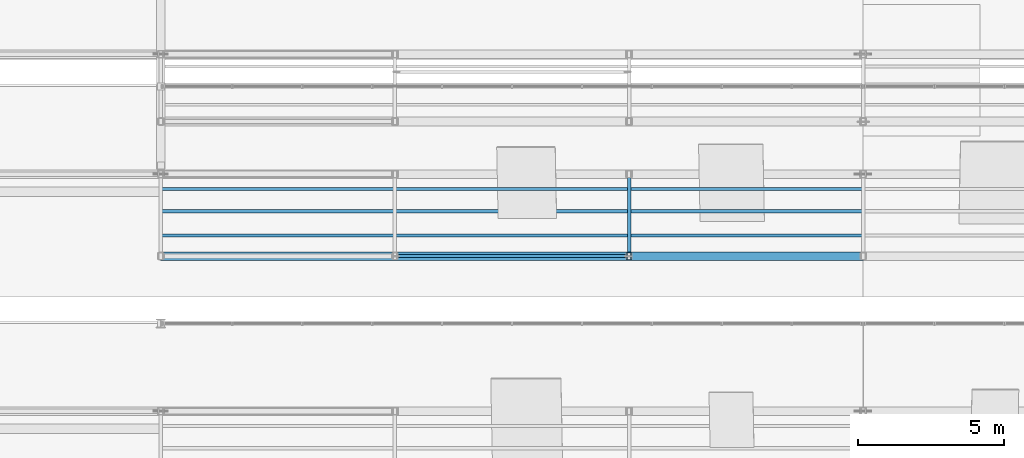
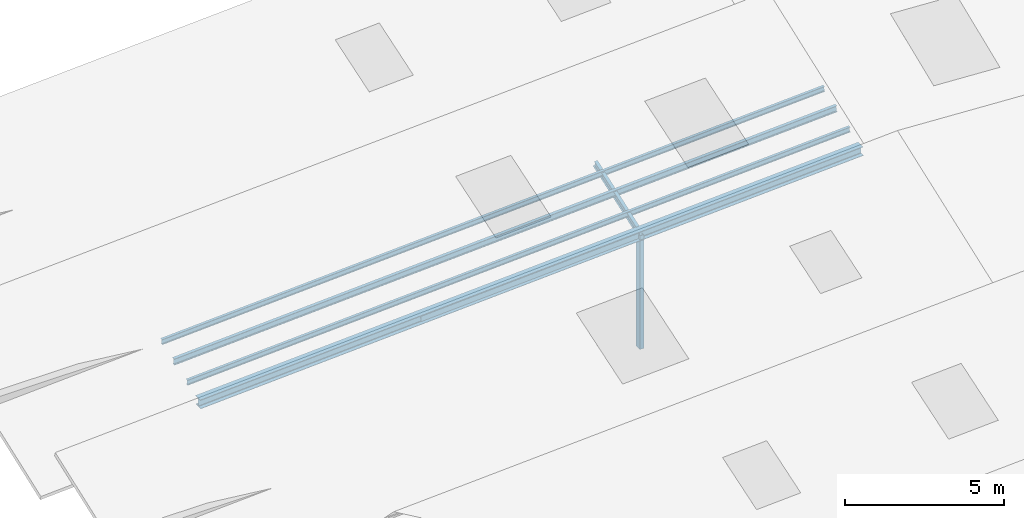
# One storey, part 87 of 141: 7 members.
"""IFC4 building model written with IfcOpenShell, lengths in metres."""

import ifcopenshell
import ifcopenshell.guid

model = None  # the IFC model being written
_history = None  # IfcOwnerHistory: only IFC2X3 demands one
_inside = {}  # id of a spatial element -> (the spatial element, [elements in it])
_under = {}  # id of a project, library or spatial element -> (it, [spatial elements below it])
_declared = {}  # id of a project -> (the project, [libraries it declares])
_typed = {}  # id of a type object -> (the type object, [elements of that type])
_made_of = {}  # id of a material, layer set ... -> (it, [elements and type objects made of it])


def new_model(schema):
    """Start an empty IFC model of exactly this schema.

    Asked for "IFC4X3", IfcOpenShell would pick the latest addendum, in which some entities
    have other attributes; the version numbers below select the first issue.
    IFC2X3 requires an IfcOwnerHistory on every rooted entity: one is made here for all.
    """
    global model, _history
    if schema == "IFC4X3":
        model = ifcopenshell.file(schema_version=(4, 3, 0, 0))
    else:
        model = ifcopenshell.file(schema=schema)
    _inside.clear()
    _under.clear()
    _declared.clear()
    _typed.clear()
    _made_of.clear()
    _history = None
    if model.schema == "IFC2X3":
        org = make("IfcOrganization", Name="unknown")
        user = make(
            "IfcPersonAndOrganization",
            ThePerson=make("IfcPerson", FamilyName="unknown"),
            TheOrganization=org,
        )
        app = make(
            "IfcApplication",
            ApplicationDeveloper=org,
            Version="unknown",
            ApplicationFullName="unknown",
            ApplicationIdentifier="unknown",
        )
        _history = make(
            "IfcOwnerHistory",
            OwningUser=user,
            OwningApplication=app,
            ChangeAction="ADDED",
            CreationDate=0,
        )
    return model


def make(cls, **values):
    """One entity of the class cls with the attributes given. An attribute that is None is left unset."""
    return model.create_entity(
        cls, **{name: value for name, value in values.items() if value is not None}
    )


def rooted(cls, **values):
    """An entity with a GlobalId (a new one), such as an element, a storey or a relation."""
    return make(cls, GlobalId=ifcopenshell.guid.new(), OwnerHistory=_history, **values)


def si_unit(unit_type, name, prefix=None):
    """IfcSIUnit, for example si_unit("LENGTHUNIT", "METRE", prefix="MILLI")."""
    return make("IfcSIUnit", UnitType=unit_type, Prefix=prefix, Name=name)


def assignment(units):
    """IfcUnitAssignment: the units of a project."""
    return None if units is None else make("IfcUnitAssignment", Units=units)


def point(xyz):
    """IfcCartesianPoint."""
    return None if xyz is None else make("IfcCartesianPoint", Coordinates=xyz)


def direction(xyz):
    """IfcDirection."""
    return None if xyz is None else make("IfcDirection", DirectionRatios=xyz)


def frame(location, z_axis=None, x_axis=None):
    """IfcAxis2Placement3D, a coordinate frame: its origin and axes. An axis left out is left unset."""
    return make(
        "IfcAxis2Placement3D",
        Location=point(location),
        Axis=direction(z_axis),
        RefDirection=direction(x_axis),
    )


def frame_2d(location, x_axis=None):
    """IfcAxis2Placement2D, a coordinate frame in the plane: its origin and x axis."""
    return make(
        "IfcAxis2Placement2D", Location=point(location), RefDirection=direction(x_axis)
    )


def origin():
    """The frame at (0, 0, 0) with its axes left unset."""
    return frame((0.0, 0.0, 0.0))


def origin_2d():
    """The frame at (0, 0) in the plane with its x axis left unset."""
    return frame_2d((0.0, 0.0))


def place(relative_to, where):
    """IfcLocalPlacement: puts the frame where relative to a parent placement (None: the world)."""
    return make(
        "IfcLocalPlacement", PlacementRelTo=relative_to, RelativePlacement=where
    )


def context(
    kind, dimensions, precision=None, world=None, true_north=None, identifier=None
):
    """IfcGeometricRepresentationContext, for example the 3D "Model" context."""
    return make(
        "IfcGeometricRepresentationContext",
        ContextIdentifier=identifier,
        ContextType=kind,
        CoordinateSpaceDimension=dimensions,
        Precision=precision,
        WorldCoordinateSystem=world,
        TrueNorth=true_north,
    )


def subcontext(parent, identifier, kind, view, scale=None):
    """IfcGeometricRepresentationSubContext, for example "Body" below "Model"."""
    return make(
        "IfcGeometricRepresentationSubContext",
        ContextIdentifier=identifier,
        ContextType=kind,
        ParentContext=parent,
        TargetScale=scale,
        TargetView=view,
    )


def project(units=None, contexts=None):
    """IfcProject with its units and contexts."""
    return rooted(
        "IfcProject",
        Name="project",
        RepresentationContexts=contexts,
        UnitsInContext=assignment(units),
    )


def spatial(cls, under=None, at=None, **own):
    """A site, building, storey or space (cls), placed at a placement, below another one or the project."""
    s = rooted(cls, ObjectPlacement=at, **own)
    if under is not None:
        _under.setdefault(under.id(), (under, []))[1].append(s)
    return s


def profile(cls, at=None, kind="AREA", **sizes):
    """A parametric profile (cls). Its sizes go by their IFC names, for example OverallWidth=200.0."""
    return make(cls, ProfileType=kind, Position=at, **sizes)


def hollow_rectangle(**sizes):
    """IfcRectangleHollowProfileDef."""
    return profile("IfcRectangleHollowProfileDef", **sizes)


def i_section(**sizes):
    """IfcIShapeProfileDef."""
    return profile("IfcIShapeProfileDef", **sizes)


def extrude(swept, where, along, depth):
    """IfcExtrudedAreaSolid: the profile swept, set in the frame where, extruded along a direction by depth."""
    return make(
        "IfcExtrudedAreaSolid",
        SweptArea=swept,
        Position=where,
        ExtrudedDirection=direction(along),
        Depth=depth,
    )


def shape(context_of_items, identifier, shape_type, items):
    """IfcShapeRepresentation: the items that make up one representation, for example the "Body"."""
    return make(
        "IfcShapeRepresentation",
        ContextOfItems=context_of_items,
        RepresentationIdentifier=identifier,
        RepresentationType=shape_type,
        Items=items,
    )


def material(Name=None, Category=None):
    """IfcMaterial."""
    return make("IfcMaterial", Name=Name, Category=Category)


def material_profile(
    of_material, cross_section, Name=None, Category=None, Priority=None
):
    """IfcMaterialProfile: a cross section and its material."""
    return make(
        "IfcMaterialProfile",
        Name=Name,
        Material=of_material,
        Profile=cross_section,
        Priority=Priority,
        Category=Category,
    )


def profile_set(profiles, Name=None, composite=None):
    """IfcMaterialProfileSet."""
    return make(
        "IfcMaterialProfileSet",
        Name=Name,
        MaterialProfiles=profiles,
        CompositeProfile=composite,
    )


def made_of(thing, what):
    """Note that an element or type object is made of a material, layer set ...; save() writes the relation."""
    if what is not None:
        _made_of.setdefault(what.id(), (what, []))[1].append(thing)
    return thing


def type_object(cls, material=None, **own):
    """A type object (cls), such as IfcWallType, which elements share."""
    return made_of(rooted(cls, **own), material)


def element(
    cls,
    number,
    at=None,
    inside=None,
    cuts=None,
    type_object=None,
    material=None,
    context=None,
    identifier="Body",
    shape_type=None,
    held_by="IfcProductDefinitionShape",
    body=None,
    shapes=None,
    **own,
):
    """One element of the class cls, such as IfcWall. Its Tag is "e" and its number.

    at: its placement. inside: the storey or other place that contains it. cuts: it is an
    opening in that element (IfcRelVoidsElement). A single representation is given by context,
    identifier, shape_type and body (its items); several are given by shapes. held_by: the class
    of the entity that holds the representations. save() writes the other relations.
    """
    e = rooted(cls, Tag="e%d" % number, ObjectPlacement=at, **own)
    if body is not None:
        shapes = [shape(context, identifier, shape_type, body)]
    if shapes is not None:
        e.Representation = make(held_by, Representations=shapes)
    if inside is not None:
        _inside.setdefault(inside.id(), (inside, []))[1].append(e)
    if cuts is not None:
        rooted(
            "IfcRelVoidsElement", RelatingBuildingElement=cuts, RelatedOpeningElement=e
        )
    if type_object is not None:
        _typed.setdefault(type_object.id(), (type_object, []))[1].append(e)
    return made_of(e, material)


def aggregate(whole, parts):
    """IfcRelAggregates: a whole, such as a stair, and the parts it consists of."""
    return rooted("IfcRelAggregates", RelatingObject=whole, RelatedObjects=parts)


def save(model, path):
    """Write the relations noted so far, then the file.

    IfcRelAggregates (storeys below a building ...), IfcRelContainedInSpatialStructure (elements
    in a storey), IfcRelDefinesByType, IfcRelAssociatesMaterial and IfcRelDeclares: one each for
    every whole, place, type object, material and project.
    """
    for whole, parts in _under.values():
        aggregate(whole, parts)
    for where, things in _inside.values():
        rooted(
            "IfcRelContainedInSpatialStructure",
            RelatedElements=things,
            RelatingStructure=where,
        )
    for kind, things in _typed.values():
        rooted("IfcRelDefinesByType", RelatedObjects=things, RelatingType=kind)
    for what, things in _made_of.values():
        rooted("IfcRelAssociatesMaterial", RelatedObjects=things, RelatingMaterial=what)
    for by, libraries in _declared.values():
        rooted("IfcRelDeclares", RelatingContext=by, RelatedDefinitions=libraries)
    model.write(path)


model = new_model("IFC4")

# Units and contexts
model_context = context("Model", 3, precision=1e-05, world=origin(), true_north=direction((0.0, 1.0)))
body_context = subcontext(model_context, "Body", "Model", "MODEL_VIEW")
ifc_project = project(units=[si_unit("LENGTHUNIT", "METRE"), si_unit("AREAUNIT", "SQUARE_METRE"), si_unit("VOLUMEUNIT", "CUBIC_METRE"), si_unit("PLANEANGLEUNIT", "RADIAN"), si_unit("MASSUNIT", "GRAM", prefix="KILO")], contexts=[model_context])

# Site, building, storey
site_placement = place(None, origin())
site = spatial("IfcSite", under=ifc_project, at=site_placement, CompositionType="ELEMENT")
building_placement = place(site_placement, origin())
building = spatial("IfcBuilding", under=site, at=building_placement, Name="Sundkrona Museum", CompositionType="ELEMENT")
storey_placement = place(building_placement, frame((0.0, 0.0, 34.0)))
storey = spatial("IfcBuildingStorey", under=building, at=storey_placement, Name="RF", CompositionType="ELEMENT", Elevation=34.0)

# Members
ifc_material = material(Name="Steel S355J2", Category="steel")
ifc_material_profile_1 = material_profile(ifc_material, i_section(OverallWidth=0.10009765625, OverallDepth=0.199951171875, WebThickness=0.005615234375, FlangeThickness=0.008544921875, FilletRadius=0.011962890625, at=origin_2d()), Name="IPE 200")
ifc_profile_set_1 = profile_set([ifc_material_profile_1], Name="Steel S355J2")
member_type_1 = type_object("IfcMemberType", Name="PR-IPE200", PredefinedType="PURLIN", material=ifc_profile_set_1)
for number, where, z_axis, x_axis, name in (
    (1, (120.0, 37.60009765625, 3.57958984375), (0.998539934522, 0.0, 0.054018507607), (0.0, 1.0, 0.0), "RFS-1 Sawtooth Blade 6W Roof Purlin 1"),
    (2, (120.0, 39.196044921875, 4.1669921875), (0.998539934522, 0.0, 0.054018507607), (0.0, 1.0, 0.0), "RFS-1 Sawtooth Blade 6W Roof Purlin 3"),
):
    element("IfcMember", number, at=place(storey_placement, frame(where, z_axis=z_axis, x_axis=x_axis)), inside=storey, type_object=member_type_1, Name=name, PredefinedType="PURLIN", context=body_context, shape_type="SweptSolid", body=[
        extrude(i_section(OverallWidth=0.10009765625, OverallDepth=0.199951171875, WebThickness=0.005615234375, FlangeThickness=0.008544921875, FilletRadius=0.011962890625, at=origin_2d()), origin(), (0.0, 0.0, 1.0), 24.03515625),
    ])
ifc_material_profile_2 = material_profile(ifc_material, i_section(OverallWidth=0.1201171875, OverallDepth=0.239990234375, WebThickness=0.006103515625, FlangeThickness=0.009765625, FilletRadius=0.014892578125, at=origin_2d()), Name="IPE 240")
ifc_profile_set_2 = profile_set([ifc_material_profile_2], Name="Steel S355J2")
member_type_2 = type_object("IfcMemberType", Name="PR-IPE240", PredefinedType="PURLIN", material=ifc_profile_set_2)
member_1_placement = place(storey_placement, frame((136.0, 36.89990234375, 4.1025390625), z_axis=(0.0, 0.942754878846, 0.333486489099), x_axis=(-1.0, 0.0, 0.0)))
element("IfcMember", 3, at=member_1_placement, inside=storey, type_object=member_type_2, Name="RFS-1 Sawtooth Bay 6 Transverse Rafter 3", PredefinedType="PURLIN", context=body_context, shape_type="SweptSolid", body=[
    extrude(i_section(OverallWidth=0.1201171875, OverallDepth=0.239990234375, WebThickness=0.006103515625, FlangeThickness=0.009765625, FilletRadius=0.014892578125, at=origin_2d()), origin(), (0.0, 0.0, 1.0), 2.969970703125),
])
member_2_placement = place(storey_placement, frame((120.0, 38.43994140625, 3.86865234375), z_axis=(0.998539934522, 0.0, 0.054018507607), x_axis=(0.0, 1.0, 0.0)))
element("IfcMember", 4, at=member_2_placement, inside=storey, type_object=member_type_2, Name="RFS-1 Sawtooth Blade 6W Roof Purlin 2", PredefinedType="PURLIN", context=body_context, shape_type="SweptSolid", body=[
    extrude(i_section(OverallWidth=0.1201171875, OverallDepth=0.239990234375, WebThickness=0.006103515625, FlangeThickness=0.009765625, FilletRadius=0.014892578125, at=origin_2d()), origin(), (0.0, 0.0, 1.0), 24.03515625),
])
ifc_material_profile_3 = material_profile(ifc_material, hollow_rectangle(XDim=0.10009765625, YDim=0.199951171875, WallThickness=0.008056640625, at=origin_2d()), Name="RHS 200x100x8.0")
ifc_profile_set_3 = profile_set([ifc_material_profile_3], Name="Steel S355J2")
member_type_3 = type_object("IfcMemberType", Name="PR-RHS200", PredefinedType="PURLIN", material=ifc_profile_set_3)
member_3_placement = place(storey_placement, frame((128.0400390625, 36.89990234375, 3.6318359375), z_axis=(0.998539806158, 0.0, 0.054020880389), x_axis=(0.0, 1.0, 0.0)))
element("IfcMember", 5, at=member_3_placement, inside=storey, type_object=member_type_3, Name="RFS-1 Sawtooth Bay 6 Valley Trim Purlin", PredefinedType="PURLIN", context=body_context, shape_type="SweptSolid", body=[
    extrude(hollow_rectangle(XDim=0.10009765625, YDim=0.199951171875, WallThickness=0.008056640625, at=origin_2d()), origin(), (0.0, 0.0, 1.0), 7.931396484375),
])
ifc_material_profile_4 = material_profile(ifc_material, hollow_rectangle(XDim=0.14990234375, YDim=0.25, WallThickness=0.010009765625, at=origin_2d()), Name="RHS 250x150x10.0")
ifc_profile_set_4 = profile_set([ifc_material_profile_4], Name="Steel S355J2")
member_type_4 = type_object("IfcMemberType", Name="ST-RHS250", PredefinedType="STRUT", material=ifc_profile_set_4)
member_4_placement = place(storey_placement, frame((136.0, 36.89990234375, -0.25), z_axis=(0.0, 0.0, 1.0), x_axis=(1.0, 0.0, 0.0)))
element("IfcMember", 6, at=member_4_placement, inside=storey, type_object=member_type_4, Name="RFS-1 Sawtooth Bay 6 Valley Post 3", PredefinedType="STRUT", context=body_context, shape_type="SweptSolid", body=[
    extrude(hollow_rectangle(XDim=0.14990234375, YDim=0.25, WallThickness=0.010009765625, at=origin_2d()), origin(), (0.0, 0.0, 1.0), 4.3525390625),
])
ifc_material_profile_5 = material_profile(ifc_material, i_section(OverallWidth=0.300048828125, OverallDepth=0.35009765625, WebThickness=0.010009765625, FlangeThickness=0.017578125, FilletRadius=0.027099609375, at=origin_2d()), Name="HEA 360")
ifc_profile_set_5 = profile_set([ifc_material_profile_5], Name="Steel S355J2")
member_type_5 = type_object("IfcMemberType", Name="TC-HEA360", PredefinedType="CHORD", material=ifc_profile_set_5)
member_5_placement = place(storey_placement, frame((120.0, 36.89990234375, 3.23681640625), z_axis=(0.99853938657, 0.0, 0.054028635632), x_axis=(0.0, 1.0, 0.0)))
element("IfcMember", 7, at=member_5_placement, inside=storey, type_object=member_type_5, Name="RFS-1 Sawtooth Valley Truss 6 West Top Chord", PredefinedType="CHORD", context=body_context, shape_type="SweptSolid", body=[
    extrude(i_section(OverallWidth=0.300048828125, OverallDepth=0.35009765625, WebThickness=0.010009765625, FlangeThickness=0.017578125, FilletRadius=0.027099609375, at=origin_2d()), origin(), (0.0, 0.0, 1.0), 24.03515625),
])

save(model, "model.ifc")
